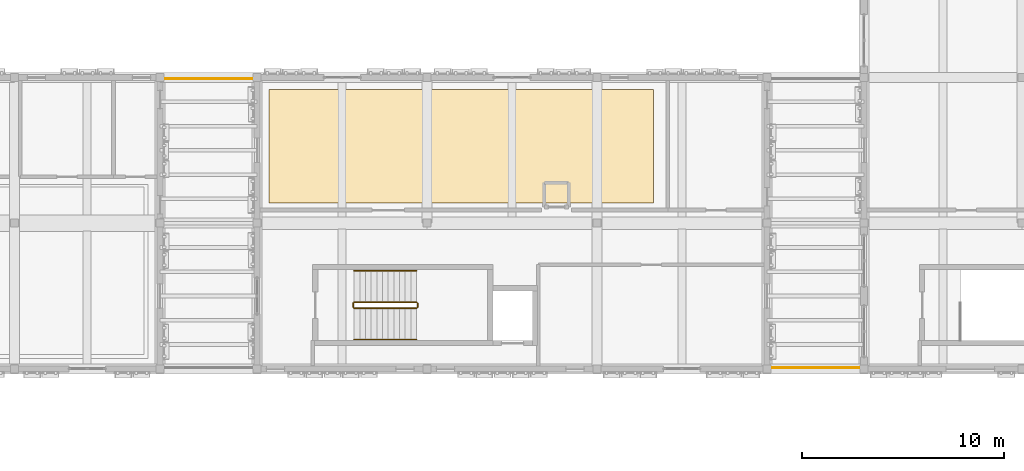
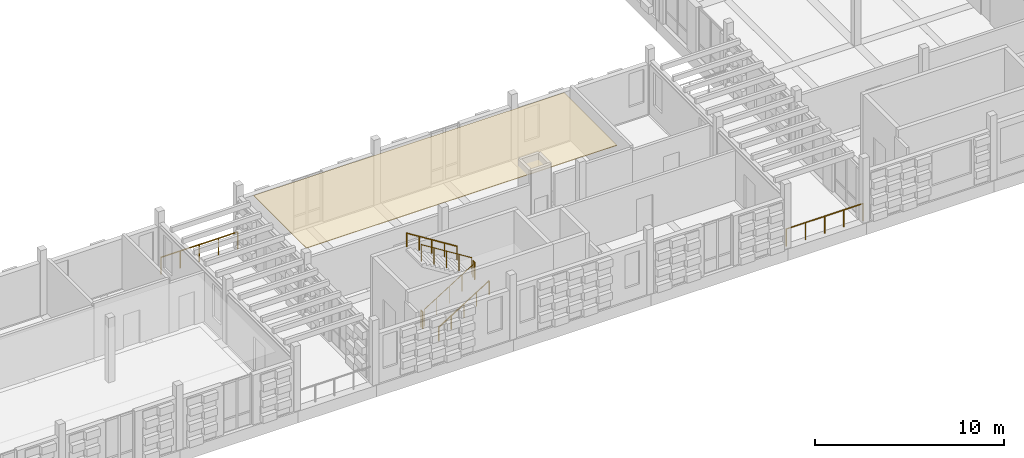
# One storey, part 93 of 99: 8 railings, 1 covering.
"""IFC4 building model written with IfcOpenShell, lengths in metres."""

import ifcopenshell
import ifcopenshell.guid

model = None  # the IFC model being written
_history = None  # IfcOwnerHistory: only IFC2X3 demands one
_inside = {}  # id of a spatial element -> (the spatial element, [elements in it])
_under = {}  # id of a project, library or spatial element -> (it, [spatial elements below it])
_declared = {}  # id of a project -> (the project, [libraries it declares])
_typed = {}  # id of a type object -> (the type object, [elements of that type])
_made_of = {}  # id of a material, layer set ... -> (it, [elements and type objects made of it])


def new_model(schema):
    """Start an empty IFC model of exactly this schema.

    Asked for "IFC4X3", IfcOpenShell would pick the latest addendum, in which some entities
    have other attributes; the version numbers below select the first issue.
    IFC2X3 requires an IfcOwnerHistory on every rooted entity: one is made here for all.
    """
    global model, _history
    if schema == "IFC4X3":
        model = ifcopenshell.file(schema_version=(4, 3, 0, 0))
    else:
        model = ifcopenshell.file(schema=schema)
    _inside.clear()
    _under.clear()
    _declared.clear()
    _typed.clear()
    _made_of.clear()
    _history = None
    if model.schema == "IFC2X3":
        org = make("IfcOrganization", Name="unknown")
        user = make(
            "IfcPersonAndOrganization",
            ThePerson=make("IfcPerson", FamilyName="unknown"),
            TheOrganization=org,
        )
        app = make(
            "IfcApplication",
            ApplicationDeveloper=org,
            Version="unknown",
            ApplicationFullName="unknown",
            ApplicationIdentifier="unknown",
        )
        _history = make(
            "IfcOwnerHistory",
            OwningUser=user,
            OwningApplication=app,
            ChangeAction="ADDED",
            CreationDate=0,
        )
    return model


def make(cls, **values):
    """One entity of the class cls with the attributes given. An attribute that is None is left unset."""
    return model.create_entity(
        cls, **{name: value for name, value in values.items() if value is not None}
    )


def rooted(cls, **values):
    """An entity with a GlobalId (a new one), such as an element, a storey or a relation."""
    return make(cls, GlobalId=ifcopenshell.guid.new(), OwnerHistory=_history, **values)


def si_unit(unit_type, name, prefix=None):
    """IfcSIUnit, for example si_unit("LENGTHUNIT", "METRE", prefix="MILLI")."""
    return make("IfcSIUnit", UnitType=unit_type, Prefix=prefix, Name=name)


def assignment(units):
    """IfcUnitAssignment: the units of a project."""
    return None if units is None else make("IfcUnitAssignment", Units=units)


def point(xyz):
    """IfcCartesianPoint."""
    return None if xyz is None else make("IfcCartesianPoint", Coordinates=xyz)


def direction(xyz):
    """IfcDirection."""
    return None if xyz is None else make("IfcDirection", DirectionRatios=xyz)


def frame(location, z_axis=None, x_axis=None):
    """IfcAxis2Placement3D, a coordinate frame: its origin and axes. An axis left out is left unset."""
    return make(
        "IfcAxis2Placement3D",
        Location=point(location),
        Axis=direction(z_axis),
        RefDirection=direction(x_axis),
    )


def frame_2d(location, x_axis=None):
    """IfcAxis2Placement2D, a coordinate frame in the plane: its origin and x axis."""
    return make(
        "IfcAxis2Placement2D", Location=point(location), RefDirection=direction(x_axis)
    )


def origin():
    """The frame at (0, 0, 0) with its axes left unset."""
    return frame((0.0, 0.0, 0.0))


def origin_2d():
    """The frame at (0, 0) in the plane with its x axis left unset."""
    return frame_2d((0.0, 0.0))


def place(relative_to, where):
    """IfcLocalPlacement: puts the frame where relative to a parent placement (None: the world)."""
    return make(
        "IfcLocalPlacement", PlacementRelTo=relative_to, RelativePlacement=where
    )


def context(
    kind, dimensions, precision=None, world=None, true_north=None, identifier=None
):
    """IfcGeometricRepresentationContext, for example the 3D "Model" context."""
    return make(
        "IfcGeometricRepresentationContext",
        ContextIdentifier=identifier,
        ContextType=kind,
        CoordinateSpaceDimension=dimensions,
        Precision=precision,
        WorldCoordinateSystem=world,
        TrueNorth=true_north,
    )


def subcontext(parent, identifier, kind, view, scale=None):
    """IfcGeometricRepresentationSubContext, for example "Body" below "Model"."""
    return make(
        "IfcGeometricRepresentationSubContext",
        ContextIdentifier=identifier,
        ContextType=kind,
        ParentContext=parent,
        TargetScale=scale,
        TargetView=view,
    )


def project(units=None, contexts=None):
    """IfcProject with its units and contexts."""
    return rooted(
        "IfcProject",
        Name="project",
        RepresentationContexts=contexts,
        UnitsInContext=assignment(units),
    )


def spatial(cls, under=None, at=None, **own):
    """A site, building, storey or space (cls), placed at a placement, below another one or the project."""
    s = rooted(cls, ObjectPlacement=at, **own)
    if under is not None:
        _under.setdefault(under.id(), (under, []))[1].append(s)
    return s


def polyline(points):
    """IfcPolyline through the points."""
    return make("IfcPolyline", Points=[point(p) for p in points])


def profile(cls, at=None, kind="AREA", **sizes):
    """A parametric profile (cls). Its sizes go by their IFC names, for example OverallWidth=200.0."""
    return make(cls, ProfileType=kind, Position=at, **sizes)


def circle(**sizes):
    """IfcCircleProfileDef."""
    return profile("IfcCircleProfileDef", **sizes)


def outline(outer, holes=None, kind="AREA"):
    """IfcArbitraryClosedProfileDef: a profile drawn as a closed curve; with holes, ...WithVoids."""
    if holes is None:
        return make("IfcArbitraryClosedProfileDef", ProfileType=kind, OuterCurve=outer)
    return make(
        "IfcArbitraryProfileDefWithVoids",
        ProfileType=kind,
        OuterCurve=outer,
        InnerCurves=holes,
    )


def extrude(swept, where, along, depth):
    """IfcExtrudedAreaSolid: the profile swept, set in the frame where, extruded along a direction by depth."""
    return make(
        "IfcExtrudedAreaSolid",
        SweptArea=swept,
        Position=where,
        ExtrudedDirection=direction(along),
        Depth=depth,
    )


def shape(context_of_items, identifier, shape_type, items):
    """IfcShapeRepresentation: the items that make up one representation, for example the "Body"."""
    return make(
        "IfcShapeRepresentation",
        ContextOfItems=context_of_items,
        RepresentationIdentifier=identifier,
        RepresentationType=shape_type,
        Items=items,
    )


def material(Name=None, Category=None):
    """IfcMaterial."""
    return make("IfcMaterial", Name=Name, Category=Category)


def layer(
    of_material, thickness, ventilated=None, Name=None, Category=None, Priority=None
):
    """IfcMaterialLayer: one layer of a wall or slab, of a material (None: an air gap)."""
    return make(
        "IfcMaterialLayer",
        Material=of_material,
        LayerThickness=thickness,
        IsVentilated=ventilated,
        Name=Name,
        Category=Category,
        Priority=Priority,
    )


def layer_set(layers, Name=None):
    """IfcMaterialLayerSet."""
    return make("IfcMaterialLayerSet", MaterialLayers=layers, LayerSetName=Name)


def made_of(thing, what):
    """Note that an element or type object is made of a material, layer set ...; save() writes the relation."""
    if what is not None:
        _made_of.setdefault(what.id(), (what, []))[1].append(thing)
    return thing


def type_object(cls, material=None, **own):
    """A type object (cls), such as IfcWallType, which elements share."""
    return made_of(rooted(cls, **own), material)


def element(
    cls,
    number,
    at=None,
    inside=None,
    cuts=None,
    type_object=None,
    material=None,
    context=None,
    identifier="Body",
    shape_type=None,
    held_by="IfcProductDefinitionShape",
    body=None,
    shapes=None,
    **own,
):
    """One element of the class cls, such as IfcWall. Its Tag is "e" and its number.

    at: its placement. inside: the storey or other place that contains it. cuts: it is an
    opening in that element (IfcRelVoidsElement). A single representation is given by context,
    identifier, shape_type and body (its items); several are given by shapes. held_by: the class
    of the entity that holds the representations. save() writes the other relations.
    """
    e = rooted(cls, Tag="e%d" % number, ObjectPlacement=at, **own)
    if body is not None:
        shapes = [shape(context, identifier, shape_type, body)]
    if shapes is not None:
        e.Representation = make(held_by, Representations=shapes)
    if inside is not None:
        _inside.setdefault(inside.id(), (inside, []))[1].append(e)
    if cuts is not None:
        rooted(
            "IfcRelVoidsElement", RelatingBuildingElement=cuts, RelatedOpeningElement=e
        )
    if type_object is not None:
        _typed.setdefault(type_object.id(), (type_object, []))[1].append(e)
    return made_of(e, material)


def aggregate(whole, parts):
    """IfcRelAggregates: a whole, such as a stair, and the parts it consists of."""
    return rooted("IfcRelAggregates", RelatingObject=whole, RelatedObjects=parts)


def save(model, path):
    """Write the relations noted so far, then the file.

    IfcRelAggregates (storeys below a building ...), IfcRelContainedInSpatialStructure (elements
    in a storey), IfcRelDefinesByType, IfcRelAssociatesMaterial and IfcRelDeclares: one each for
    every whole, place, type object, material and project.
    """
    for whole, parts in _under.values():
        aggregate(whole, parts)
    for where, things in _inside.values():
        rooted(
            "IfcRelContainedInSpatialStructure",
            RelatedElements=things,
            RelatingStructure=where,
        )
    for kind, things in _typed.values():
        rooted("IfcRelDefinesByType", RelatedObjects=things, RelatingType=kind)
    for what, things in _made_of.values():
        rooted("IfcRelAssociatesMaterial", RelatedObjects=things, RelatingMaterial=what)
    for by, libraries in _declared.values():
        rooted("IfcRelDeclares", RelatingContext=by, RelatedDefinitions=libraries)
    model.write(path)


model = new_model("IFC4")

# Units and contexts
model_context = context("Model", 3, precision=1e-05, world=origin(), true_north=direction((0.0, 1.0)))
body_context = subcontext(model_context, "Body", "Model", "MODEL_VIEW")
ifc_project = project(units=[si_unit("LENGTHUNIT", "METRE"), si_unit("AREAUNIT", "SQUARE_METRE"), si_unit("VOLUMEUNIT", "CUBIC_METRE"), si_unit("PLANEANGLEUNIT", "RADIAN"), si_unit("MASSUNIT", "GRAM", prefix="KILO")], contexts=[model_context])

# Site, building, storey
site_placement = place(None, origin())
site = spatial("IfcSite", under=ifc_project, at=site_placement, CompositionType="ELEMENT")
building_placement = place(site_placement, origin())
building = spatial("IfcBuilding", under=site, at=building_placement, Name="Kahlenmark Community Centre", CompositionType="ELEMENT")
storey_placement = place(building_placement, frame((0.0, 0.0, 5.39990234375)))
storey = spatial("IfcBuildingStorey", under=building, at=storey_placement, Name="L01", CompositionType="ELEMENT", Elevation=5.39990234375)

# Covering
ifc_material_1 = material(Name="Perforated birch acoustic ceiling panel")
ifc_layer = layer(ifc_material_1, 0.0400390625)
ifc_layer_set = layer_set([ifc_layer], Name="Perforated birch acoustic ceiling panel")
covering_type = type_object("IfcCoveringType", Name="CVT-CEIL-ACOUST", PredefinedType="CEILING", material=ifc_layer_set)
covering_placement = place(storey_placement, frame((0.0, 0.0, 3.52001953125)))
element("IfcCovering", 1, at=covering_placement, inside=storey, type_object=covering_type, Name="Acoustic birch ceiling 03", PredefinedType="CEILING", context=body_context, shape_type="SweptSolid", body=[
    extrude(outline(polyline([(92.199951171875, 17.0), (111.199951171875, 17.0), (111.199951171875, 22.60009765625), (92.199951171875, 22.60009765625), (92.199951171875, 17.0)])), origin(), (0.0, 0.0, 1.0), 0.0400390625),
])

# Railings
ifc_material_2 = material(Name="Powder-coated galvanized steel balustrade", Category="steel")
railing_type_1 = type_object("IfcRailingType", Name="RLT-BAL-1120", PredefinedType="BALUSTRADE", material=ifc_material_2)
for number, where, name in (
    (2, (86.85009765625, 23.14990234375, 0.0), "Balustrade guard L01-005"),
    (3, (116.85009765625, 8.85009765625, 0.0), "Balustrade guard L01-006"),
):
    element("IfcRailing", number, at=place(storey_placement, frame(where)), inside=storey, type_object=railing_type_1, Name=name, PredefinedType="BALUSTRADE", context=body_context, shape_type="SweptSolid", body=[
        extrude(circle(Radius=0.02392578125, at=origin_2d()), frame((0.0, 0.0, 1.09619140625), z_axis=(1.0, 0.0, 0.0), x_axis=(0.0, 1.0, 0.0)), (0.0, 0.0, 1.0), 4.699951171875),
        extrude(circle(Radius=0.02099609375, at=origin_2d()), origin(), (0.0, 0.0, 1.0), 1.072021484375),
        extrude(circle(Radius=0.02099609375, at=origin_2d()), frame((1.175048828125, 0.0, 0.0)), (0.0, 0.0, 1.0), 1.072021484375),
        extrude(circle(Radius=0.02099609375, at=origin_2d()), frame((2.35009765625, 0.0, 0.0)), (0.0, 0.0, 1.0), 1.072021484375),
        extrude(circle(Radius=0.02099609375, at=origin_2d()), frame((3.52490234375, 0.0, 0.0)), (0.0, 0.0, 1.0), 1.072021484375),
        extrude(circle(Radius=0.02099609375, at=origin_2d()), frame((4.699951171875, 0.0, 0.0)), (0.0, 0.0, 1.0), 1.072021484375),
    ])
ifc_material_3 = material(Name="Brushed stainless steel 1.4301 handrail", Category="steel")
railing_type_2 = type_object("IfcRailingType", Name="RLT-HR-900", PredefinedType="HANDRAIL", material=ifc_material_3)
railing_1_placement = place(storey_placement, frame((96.39990234375, 10.25, 0.175048828125)))
element("IfcRailing", 4, at=railing_1_placement, inside=storey, type_object=railing_type_2, Name="L01 ST-07 stair handrail 1", PredefinedType="HANDRAIL", context=body_context, shape_type="SweptSolid", body=[
    extrude(circle(Radius=0.02392578125, at=origin_2d()), frame((0.0, 0.0, 0.8759765625), z_axis=(0.847998304005, 0.0, 0.529998940003), x_axis=(0.0, 1.0, 0.0)), (0.0, 0.0, 1.0), 3.632080078125),
    extrude(circle(Radius=0.02099609375, at=origin_2d()), origin(), (0.0, 0.0, 1.0), 0.851806640625),
    extrude(circle(Radius=0.02099609375, at=origin_2d()), frame((0.77001953125, 0.0, 0.481201171875)), (0.0, 0.0, 1.0), 0.851806640625),
    extrude(circle(Radius=0.02099609375, at=origin_2d()), frame((1.5400390625, 0.0, 0.96240234375)), (0.0, 0.0, 1.0), 0.851806640625),
    extrude(circle(Radius=0.02099609375, at=origin_2d()), frame((2.31005859375, 0.0, 1.44384765625)), (0.0, 0.0, 1.0), 0.851806640625),
    extrude(circle(Radius=0.02099609375, at=origin_2d()), frame((3.080078125, 0.0, 1.925048828125)), (0.0, 0.0, 1.0), 0.851806640625),
])
railing_2_placement = place(storey_placement, frame((99.47998046875, 13.64990234375, 2.275146484375)))
element("IfcRailing", 5, at=railing_2_placement, inside=storey, type_object=railing_type_2, Name="L01 ST-07 stair handrail 2", PredefinedType="HANDRAIL", context=body_context, shape_type="SweptSolid", body=[
    extrude(circle(Radius=0.02392578125, at=origin_2d()), frame((0.0, 0.0, 0.8759765625), z_axis=(-0.847998304005, 0.0, 0.529998940003), x_axis=(0.0, -1.0, 0.0)), (0.0, 0.0, 1.0), 3.632080078125),
    extrude(circle(Radius=0.02099609375, at=origin_2d()), origin(), (0.0, 0.0, 1.0), 0.851806640625),
    extrude(circle(Radius=0.02099609375, at=origin_2d()), frame((-0.77001953125, 0.0, 0.481201171875)), (0.0, 0.0, 1.0), 0.851806640625),
    extrude(circle(Radius=0.02099609375, at=origin_2d()), frame((-1.5400390625, 0.0, 0.96240234375)), (0.0, 0.0, 1.0), 0.851806640625),
    extrude(circle(Radius=0.02099609375, at=origin_2d()), frame((-2.31005859375, 0.0, 1.44384765625)), (0.0, 0.0, 1.0), 0.851806640625),
    extrude(circle(Radius=0.02099609375, at=origin_2d()), frame((-3.080078125, 0.0, 1.925048828125)), (0.0, 0.0, 1.0), 0.851806640625),
])
ifc_material_4 = material(Name="Powder-coated steel stair well guard", Category="steel")
railing_type_3 = type_object("IfcRailingType", Name="RLT-SG-1120", PredefinedType="GUARDRAIL", material=ifc_material_4)
railing_3_placement = place(storey_placement, frame((96.39990234375, 11.800048828125, 0.175048828125)))
element("IfcRailing", 6, at=railing_3_placement, inside=storey, type_object=railing_type_3, Name="L01 ST-07 stair guard 1", PredefinedType="GUARDRAIL", context=body_context, shape_type="SweptSolid", body=[
    extrude(circle(Radius=0.02392578125, at=origin_2d()), frame((0.0, 0.0, 1.076171875), z_axis=(0.847998304005, 0.0, 0.529998940003), x_axis=(0.0, 1.0, 0.0)), (0.0, 0.0, 1.0), 3.632080078125),
    extrude(circle(Radius=0.02099609375, at=origin_2d()), origin(), (0.0, 0.0, 1.0), 1.052001953125),
    extrude(circle(Radius=0.02099609375, at=origin_2d()), frame((0.77001953125, 0.0, 0.481201171875)), (0.0, 0.0, 1.0), 1.052001953125),
    extrude(circle(Radius=0.02099609375, at=origin_2d()), frame((1.5400390625, 0.0, 0.96240234375)), (0.0, 0.0, 1.0), 1.052001953125),
    extrude(circle(Radius=0.02099609375, at=origin_2d()), frame((2.31005859375, 0.0, 1.44384765625)), (0.0, 0.0, 1.0), 1.052001953125),
    extrude(circle(Radius=0.02099609375, at=origin_2d()), frame((3.080078125, 0.0, 1.925048828125)), (0.0, 0.0, 1.0), 1.052001953125),
])
railing_4_placement = place(storey_placement, frame((99.530029296875, 11.85009765625, 2.10009765625)))
element("IfcRailing", 7, at=railing_4_placement, inside=storey, type_object=railing_type_3, Name="L01 ST-07 stair guard 2", PredefinedType="GUARDRAIL", context=body_context, shape_type="SweptSolid", body=[
    extrude(circle(Radius=0.02392578125, at=origin_2d()), frame((0.0, 0.0, 1.076171875), z_axis=(0.0, 1.0, 0.0), x_axis=(-1.0, 0.0, 0.0)), (0.0, 0.0, 1.0), 0.199951171875),
    extrude(circle(Radius=0.02099609375, at=origin_2d()), origin(), (0.0, 0.0, 1.0), 1.052001953125),
    extrude(circle(Radius=0.02099609375, at=origin_2d()), frame((0.0, 0.199951171875, 0.0)), (0.0, 0.0, 1.0), 1.052001953125),
])
railing_5_placement = place(storey_placement, frame((99.47998046875, 12.10009765625, 2.275146484375)))
element("IfcRailing", 8, at=railing_5_placement, inside=storey, type_object=railing_type_3, Name="L01 ST-07 stair guard 3", PredefinedType="GUARDRAIL", context=body_context, shape_type="SweptSolid", body=[
    extrude(circle(Radius=0.02392578125, at=origin_2d()), frame((0.0, 0.0, 1.076171875), z_axis=(-0.847998304005, 0.0, 0.529998940003), x_axis=(0.0, -1.0, 0.0)), (0.0, 0.0, 1.0), 3.632080078125),
    extrude(circle(Radius=0.02099609375, at=origin_2d()), origin(), (0.0, 0.0, 1.0), 1.052001953125),
    extrude(circle(Radius=0.02099609375, at=origin_2d()), frame((-0.77001953125, 0.0, 0.481201171875)), (0.0, 0.0, 1.0), 1.052001953125),
    extrude(circle(Radius=0.02099609375, at=origin_2d()), frame((-1.5400390625, 0.0, 0.96240234375)), (0.0, 0.0, 1.0), 1.052001953125),
    extrude(circle(Radius=0.02099609375, at=origin_2d()), frame((-2.31005859375, 0.0, 1.44384765625)), (0.0, 0.0, 1.0), 1.052001953125),
    extrude(circle(Radius=0.02099609375, at=origin_2d()), frame((-3.080078125, 0.0, 1.925048828125)), (0.0, 0.0, 1.0), 1.052001953125),
])
railing_6_placement = place(storey_placement, frame((96.35009765625, 11.85009765625, 0.0)))
element("IfcRailing", 9, at=railing_6_placement, inside=storey, type_object=railing_type_3, Name="L01 ST-07 stair guard 4", PredefinedType="GUARDRAIL", context=body_context, shape_type="SweptSolid", body=[
    extrude(circle(Radius=0.02392578125, at=origin_2d()), frame((0.0, 0.0, 1.076171875), z_axis=(0.0, 1.0, 0.0), x_axis=(-1.0, 0.0, 0.0)), (0.0, 0.0, 1.0), 0.199951171875),
    extrude(circle(Radius=0.02099609375, at=origin_2d()), origin(), (0.0, 0.0, 1.0), 1.052001953125),
    extrude(circle(Radius=0.02099609375, at=origin_2d()), frame((0.0, 0.199951171875, 0.0)), (0.0, 0.0, 1.0), 1.052001953125),
])

save(model, "model.ifc")
